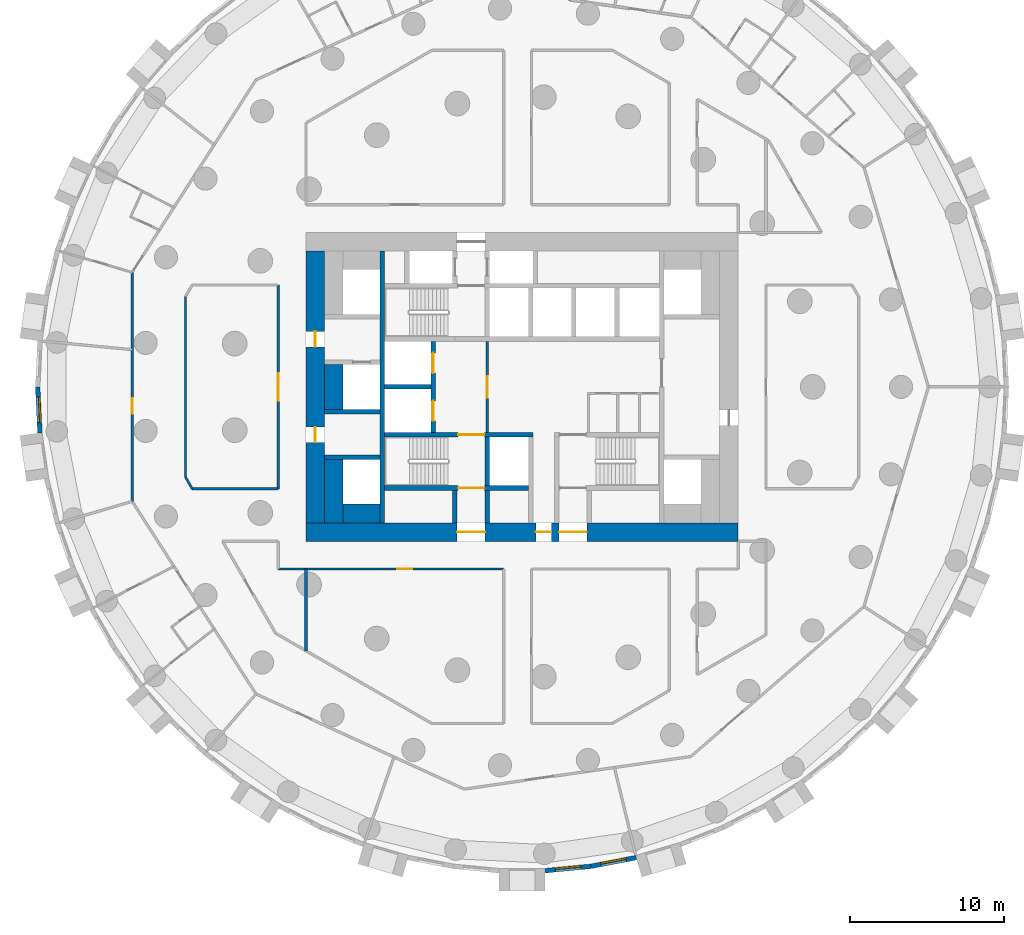
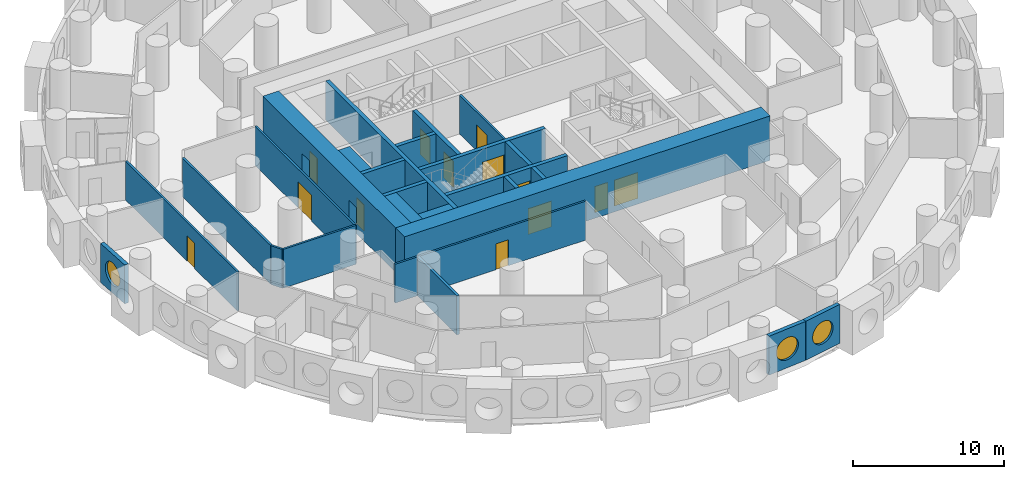
# One storey, part 4 of 12: 26 walls, 13 doors, 3 windows, 16 openings.
"""IFC4 building model written with IfcOpenShell, lengths in metres."""

from ifc_helpers import new_model, si_unit, direction, frame, frame_2d, origin, origin_2d, place, context, subcontext, project, spatial, rectangle, circle, extrude, material, layer, layer_set, type_object, element, fill, save


model = new_model("IFC4")

# Units and contexts
model_context = context("Model", 3, precision=1e-05, world=origin(), true_north=direction((0.0, 1.0)))
body_context = subcontext(model_context, "Body", "Model", "MODEL_VIEW")
ifc_project = project(units=[si_unit("LENGTHUNIT", "METRE"), si_unit("AREAUNIT", "SQUARE_METRE"), si_unit("VOLUMEUNIT", "CUBIC_METRE"), si_unit("PLANEANGLEUNIT", "RADIAN"), si_unit("MASSUNIT", "GRAM", prefix="KILO")], contexts=[model_context])

# Site, building, storey
site_placement = place(None, origin())
site = spatial("IfcSite", under=ifc_project, at=site_placement, CompositionType="ELEMENT")
building_placement = place(site_placement, origin())
building = spatial("IfcBuilding", under=site, at=building_placement, Name="Tracery Tower", CompositionType="ELEMENT")
storey_placement = place(building_placement, frame((0.0, 0.0, 57.0)))
storey = spatial("IfcBuildingStorey", under=building, at=storey_placement, Name="L13", CompositionType="ELEMENT", Elevation=57.0)

# Wall, opening, door
ifc_material_1 = material(Name="Plasterboard on steel studs", Category="steel")
ifc_layer_1 = layer(ifc_material_1, 0.14990234375)
ifc_layer_set_1 = layer_set([ifc_layer_1], Name="Core lobby partition 150")
wall_type_1 = type_object("IfcWallType", Name="Core lobby partition 150", PredefinedType="SOLIDWALL", material=ifc_layer_set_1)
wall_1_placement = place(storey_placement, frame((-2.25, -2.949951171875, 0.0), z_axis=(0.0, 0.0, 1.0), x_axis=(0.0, 1.0, 0.0)))
wall_1 = element("IfcWall", 1, at=wall_1_placement, inside=storey, type_object=wall_type_1, Name="L13 FF lobby E", PredefinedType="SOLIDWALL", context=body_context, shape_type="SweptSolid", body=[
    extrude(rectangle(XDim=5.89990234375, YDim=0.14990234375, at=frame_2d((2.949951171875, 0.0))), origin(), (0.0, 0.0, 1.0), 3.14990234375),
])
opening_1_placement = place(wall_1_placement, frame((2.25, 0.0, 0.0)))
opening_1 = element("IfcOpeningElement", 2, at=opening_1_placement, cuts=wall_1, Name="Opening KD8", PredefinedType="OPENING", context=body_context, shape_type="SweptSolid", body=[
    extrude(rectangle(XDim=1.39990234375, YDim=2.10009765625, at=frame_2d((0.699951171875, 1.050048828125))), frame((0.0, 0.074951171875, 0.0), z_axis=(0.0, -1.0, 0.0), x_axis=(1.0, 0.0, 0.0)), (0.0, 0.0, 1.0), 0.14990234375),
])
ifc_material_2 = material(Name="Steel fire door", Category="steel")
door_type_1 = type_object("IfcDoorType", Name="Core lobby door 1400 double", OperationType="NOTDEFINED", PredefinedType="DOOR", material=ifc_material_2)
door_1_placement = place(opening_1_placement, origin())
door_1 = element("IfcDoor", 3, at=door_1_placement, inside=storey, type_object=door_type_1, Name="Fire-fighting lobby door", OperationType="DOUBLE_DOOR_SINGLE_SWING", OverallHeight=2.10009765625, OverallWidth=1.39990234375, PredefinedType="DOOR", context=body_context, shape_type="SweptSolid", body=[
    extrude(rectangle(XDim=1.39990234375, YDim=2.10009765625, at=frame_2d((0.699951171875, 1.050048828125))), frame((0.0, 0.02490234375, 0.0), z_axis=(0.0, -1.0, 0.0), x_axis=(1.0, 0.0, 0.0)), (0.0, 0.0, 1.0), 0.050048828125),
])
fill(opening_1, door_1)

# Walls
ifc_material_3 = material(Name="Concrete C60/75", Category="concrete")
ifc_layer_2 = layer(ifc_material_3, 1.199951171875)
ifc_layer_set_2 = layer_set([ifc_layer_2], Name="Core strip wall 1200 C60")
wall_type_2 = type_object("IfcWallType", Name="Core strip wall 1200 C60", PredefinedType="SOLIDWALL", material=ifc_layer_set_2)
wall_2_placement = place(storey_placement, frame((-12.199951171875, -8.800048828125, 0.0), z_axis=(0.0, 0.0, 1.0), x_axis=(0.0, 1.0, 0.0)))
element("IfcWall", 4, at=wall_2_placement, inside=storey, type_object=wall_type_2, Name="L13 wing strip -1 -9.4", PredefinedType="SOLIDWALL", context=body_context, shape_type="SweptSolid", body=[
    extrude(rectangle(XDim=4.10009765625, YDim=1.199951171875, at=frame_2d((2.050048828125, 0.0))), origin(), (0.0, 0.0, 1.0), 3.14990234375),
])
wall_3_placement = place(storey_placement, frame((-12.199951171875, -1.449951171875, 0.0), z_axis=(0.0, 0.0, 1.0), x_axis=(0.0, 1.0, 0.0)))
element("IfcWall", 5, at=wall_3_placement, inside=storey, type_object=wall_type_2, Name="L13 wing strip -1 -1.6", PredefinedType="SOLIDWALL", context=body_context, shape_type="SweptSolid", body=[
    extrude(rectangle(XDim=2.89990234375, YDim=1.199951171875, at=frame_2d((1.449951171875, 0.0))), origin(), (0.0, 0.0, 1.0), 3.14990234375),
])
wall_4_placement = place(storey_placement, frame((-11.60009765625, -8.199951171875, 0.0), z_axis=(0.0, 0.0, 1.0), x_axis=(1.0, 0.0, 0.0)))
element("IfcWall", 6, at=wall_4_placement, inside=storey, type_object=wall_type_2, Name="L13 wing corner -1 -8.2", PredefinedType="SOLIDWALL", context=body_context, shape_type="SweptSolid", body=[
    extrude(rectangle(XDim=2.400146484375, YDim=1.199951171875, at=frame_2d((1.2001953125, 0.0))), origin(), (0.0, 0.0, 1.0), 3.14990234375),
])

# Wall, openings, doors
ifc_material_4 = material(Name="Concrete C60/75", Category="concrete")
ifc_layer_3 = layer(ifc_material_4, 1.199951171875)
ifc_layer_set_3 = layer_set([ifc_layer_3], Name="Core wall 1200 C60")
wall_type_3 = type_object("IfcWallType", Name="Core wall 1200 C60", PredefinedType="SOLIDWALL", material=ifc_layer_set_3)
wall_5_placement = place(storey_placement, frame((-14.0, -9.39990234375, 0.0), z_axis=(0.0, 0.0, 1.0), x_axis=(1.0, 0.0, 0.0)))
wall_5 = element("IfcWall", 7, at=wall_5_placement, inside=storey, type_object=wall_type_3, Name="L13 outer S", PredefinedType="SOLIDWALL", context=body_context, shape_type="SweptSolid", body=[
    extrude(rectangle(XDim=28.0, YDim=1.199951171875, at=frame_2d((14.0, 0.0))), origin(), (0.0, 0.0, 1.0), 3.60009765625),
])
opening_2_placement = place(wall_5_placement, frame((14.89990234375, 0.0, 0.0)))
opening_2 = element("IfcOpeningElement", 8, at=opening_2_placement, cuts=wall_5, Name="Opening KD16", PredefinedType="OPENING", context=body_context, shape_type="SweptSolid", body=[
    extrude(rectangle(XDim=1.0, YDim=2.10009765625, at=frame_2d((0.5, 1.050048828125))), frame((0.0, 0.60009765625, 0.0), z_axis=(0.0, -1.0, 0.0), x_axis=(1.0, 0.0, 0.0)), (0.0, 0.0, 1.0), 1.199951171875),
])
opening_3_placement = place(wall_5_placement, frame((9.800048828125, 0.0, 0.0)))
opening_3 = element("IfcOpeningElement", 9, at=opening_3_placement, cuts=wall_5, Name="Opening KD13", PredefinedType="OPENING", context=body_context, shape_type="SweptSolid", body=[
    extrude(rectangle(XDim=1.800048828125, YDim=2.10009765625, at=frame_2d((0.89990234375, 1.050048828125))), frame((0.0, 0.60009765625, 0.0), z_axis=(0.0, -1.0, 0.0), x_axis=(1.0, 0.0, 0.0)), (0.0, 0.0, 1.0), 1.199951171875),
])
opening_4_placement = place(wall_5_placement, frame((16.39990234375, 0.0, 0.0)))
opening_4 = element("IfcOpeningElement", 10, at=opening_4_placement, cuts=wall_5, Name="Opening KD13", PredefinedType="OPENING", context=body_context, shape_type="SweptSolid", body=[
    extrude(rectangle(XDim=1.800048828125, YDim=2.10009765625, at=frame_2d((0.89990234375, 1.050048828125))), frame((0.0, 0.60009765625, 0.0), z_axis=(0.0, -1.0, 0.0), x_axis=(1.0, 0.0, 0.0)), (0.0, 0.0, 1.0), 1.199951171875),
])
ifc_material_5 = material(Name="Steel fire door", Category="steel")
door_type_2 = type_object("IfcDoorType", Name="Core exit door 1000", OperationType="NOTDEFINED", PredefinedType="DOOR", material=ifc_material_5)
door_2_placement = place(opening_2_placement, origin())
door_2 = element("IfcDoor", 11, at=door_2_placement, inside=storey, type_object=door_type_2, Name="Core exit door", OperationType="SINGLE_SWING_LEFT", OverallHeight=2.10009765625, OverallWidth=1.0, PredefinedType="DOOR", context=body_context, shape_type="SweptSolid", body=[
    extrude(rectangle(XDim=1.0, YDim=2.10009765625, at=frame_2d((0.5, 1.050048828125))), frame((0.0, 0.02490234375, 0.0), z_axis=(0.0, -1.0, 0.0), x_axis=(1.0, 0.0, 0.0)), (0.0, 0.0, 1.0), 0.050048828125),
])
fill(opening_2, door_2)
ifc_material_6 = material(Name="Steel fire door", Category="steel")
door_type_3 = type_object("IfcDoorType", Name="Core exit door 1800 double", OperationType="NOTDEFINED", PredefinedType="DOOR", material=ifc_material_6)
door_3_placement = place(opening_3_placement, origin())
door_3 = element("IfcDoor", 12, at=door_3_placement, inside=storey, type_object=door_type_3, Name="Core exit door", OperationType="DOUBLE_DOOR_SINGLE_SWING", OverallHeight=2.10009765625, OverallWidth=1.800048828125, PredefinedType="DOOR", context=body_context, shape_type="SweptSolid", body=[
    extrude(rectangle(XDim=1.800048828125, YDim=2.10009765625, at=frame_2d((0.89990234375, 1.050048828125))), frame((0.0, 0.02490234375, 0.0), z_axis=(0.0, -1.0, 0.0), x_axis=(1.0, 0.0, 0.0)), (0.0, 0.0, 1.0), 0.050048828125),
])
fill(opening_3, door_3)
door_4_placement = place(opening_4_placement, origin())
door_4 = element("IfcDoor", 13, at=door_4_placement, inside=storey, type_object=door_type_3, Name="Core exit door", OperationType="DOUBLE_DOOR_SINGLE_SWING", OverallHeight=2.10009765625, OverallWidth=1.800048828125, PredefinedType="DOOR", context=body_context, shape_type="SweptSolid", body=[
    extrude(rectangle(XDim=1.800048828125, YDim=2.10009765625, at=frame_2d((0.89990234375, 1.050048828125))), frame((0.0, 0.02490234375, 0.0), z_axis=(0.0, -1.0, 0.0), x_axis=(1.0, 0.0, 0.0)), (0.0, 0.0, 1.0), 0.050048828125),
])
fill(opening_4, door_4)

wall_6_placement = place(storey_placement, frame((-13.39990234375, -8.800048828125, 0.0), z_axis=(0.0, 0.0, 1.0), x_axis=(0.0, 1.0, 0.0)))
wall_6 = element("IfcWall", 14, at=wall_6_placement, inside=storey, type_object=wall_type_3, Name="L13 outer W", PredefinedType="SOLIDWALL", context=body_context, shape_type="SweptSolid", body=[
    extrude(rectangle(XDim=17.60009765625, YDim=1.199951171875, at=frame_2d((8.800048828125, 0.0))), origin(), (0.0, 0.0, 1.0), 3.60009765625),
])
opening_5_placement = place(wall_6_placement, frame((5.199951171875, 0.0, 0.0)))
opening_5 = element("IfcOpeningElement", 15, at=opening_5_placement, cuts=wall_6, Name="Opening KD18", PredefinedType="OPENING", context=body_context, shape_type="SweptSolid", body=[
    extrude(rectangle(XDim=1.0, YDim=2.10009765625, at=frame_2d((0.5, 1.050048828125))), frame((0.0, 0.60009765625, 0.0), z_axis=(0.0, -1.0, 0.0), x_axis=(1.0, 0.0, 0.0)), (0.0, 0.0, 1.0), 1.199951171875),
])
opening_6_placement = place(wall_6_placement, frame((11.39990234375, 0.0, 0.0)))
opening_6 = element("IfcOpeningElement", 16, at=opening_6_placement, cuts=wall_6, Name="Opening KD18", PredefinedType="OPENING", context=body_context, shape_type="SweptSolid", body=[
    extrude(rectangle(XDim=1.0, YDim=2.10009765625, at=frame_2d((0.5, 1.050048828125))), frame((0.0, 0.60009765625, 0.0), z_axis=(0.0, -1.0, 0.0), x_axis=(1.0, 0.0, 0.0)), (0.0, 0.0, 1.0), 1.199951171875),
])
door_5_placement = place(opening_5_placement, origin())
door_5 = element("IfcDoor", 17, at=door_5_placement, inside=storey, type_object=door_type_2, Name="Core exit door", OperationType="DOUBLE_DOOR_SINGLE_SWING", OverallHeight=2.10009765625, OverallWidth=1.0, PredefinedType="DOOR", context=body_context, shape_type="SweptSolid", body=[
    extrude(rectangle(XDim=1.0, YDim=2.10009765625, at=frame_2d((0.5, 1.050048828125))), frame((0.0, 0.02490234375, 0.0), z_axis=(0.0, -1.0, 0.0), x_axis=(1.0, 0.0, 0.0)), (0.0, 0.0, 1.0), 0.050048828125),
])
fill(opening_5, door_5)
door_6_placement = place(opening_6_placement, origin())
door_6 = element("IfcDoor", 18, at=door_6_placement, inside=storey, type_object=door_type_2, Name="Core exit door", OperationType="DOUBLE_DOOR_SINGLE_SWING", OverallHeight=2.10009765625, OverallWidth=1.0, PredefinedType="DOOR", context=body_context, shape_type="SweptSolid", body=[
    extrude(rectangle(XDim=1.0, YDim=2.10009765625, at=frame_2d((0.5, 1.050048828125))), frame((0.0, 0.02490234375, 0.0), z_axis=(0.0, -1.0, 0.0), x_axis=(1.0, 0.0, 0.0)), (0.0, 0.0, 1.0), 0.050048828125),
])
fill(opening_6, door_6)

# Wall, opening, window
ifc_material_7 = material(Name="Precast concrete C50/60", Category="concrete")
ifc_layer_4 = layer(ifc_material_7, 0.300048828125)
ifc_layer_set_4 = layer_set([ifc_layer_4], Name="Facade panel 3000 x 3150")
wall_type_4 = type_object("IfcWallType", Name="Facade panel 3000 x 3150", PredefinedType="SOLIDWALL", material=ifc_layer_set_4)
wall_7_placement = place(storey_placement, frame((-31.37451171875, 0.0, 0.0), z_axis=(0.0, 0.0, 1.0), x_axis=(0.047604077644, -0.998866283239, 0.0)))
wall_7 = element("IfcWall", 19, at=wall_7_placement, inside=storey, type_object=wall_type_4, Name="Facade panel 34 at L13", PredefinedType="SOLIDWALL", context=body_context, shape_type="SweptSolid", body=[
    extrude(rectangle(XDim=2.979736328125, YDim=0.300048828125, at=frame_2d((1.48974609375, 0.0))), origin(), (0.0, 0.0, 1.0), 3.14990234375),
])
opening_7_placement = place(wall_7_placement, frame((1.48974609375, 0.0, 1.5498046875)))
opening_7 = element("IfcOpeningElement", 20, at=opening_7_placement, cuts=wall_7, Name="Opening WN1", PredefinedType="OPENING", context=body_context, shape_type="SweptSolid", body=[
    extrude(circle(Radius=0.9000244140625, at=origin_2d()), frame((0.0, 0.159912109375, 0.0), z_axis=(0.0, -1.0, 0.0), x_axis=(1.0, 0.0, 0.0)), (0.0, 0.0, 1.0), 0.320068359375),
])
ifc_material_8 = material(Name="Aluminium frame with tinted double glazing", Category="aluminium")
window_type = type_object("IfcWindowType", Name="Round window 1800", PartitioningType="SINGLE_PANEL", PredefinedType="WINDOW", material=ifc_material_8)
window_1_placement = place(opening_7_placement, origin())
window_1 = element("IfcWindow", 21, at=window_1_placement, inside=storey, type_object=window_type, Name="Round window 34 at L13", OverallHeight=1.800048828125, OverallWidth=1.800048828125, PartitioningType="SINGLE_PANEL", PredefinedType="WINDOW", context=body_context, shape_type="SweptSolid", body=[
    extrude(circle(Radius=0.9000244140625, at=origin_2d()), frame((0.0, 0.1201171875, 0.0), z_axis=(0.0, -1.0, 0.0), x_axis=(1.0, 0.0, 0.0)), (0.0, 0.0, 1.0), 0.10009765625),
])
fill(opening_7, window_1)

wall_8_placement = place(storey_placement, frame((1.498779296875, -31.33837890625, 0.0), z_axis=(0.0, 0.0, 1.0), x_axis=(0.995473351551, 0.095041077185, 0.0)))
wall_8 = element("IfcWall", 22, at=wall_8_placement, inside=storey, type_object=wall_type_4, Name="Facade panel 51 at L13", PredefinedType="SOLIDWALL", context=body_context, shape_type="SweptSolid", body=[
    extrude(rectangle(XDim=2.979736328125, YDim=0.300048828125, at=frame_2d((1.48974609375, 0.0))), origin(), (0.0, 0.0, 1.0), 3.14990234375),
])
opening_8_placement = place(wall_8_placement, frame((1.48974609375, 0.0, 1.5498046875)))
opening_8 = element("IfcOpeningElement", 23, at=opening_8_placement, cuts=wall_8, Name="Opening WN1", PredefinedType="OPENING", context=body_context, shape_type="SweptSolid", body=[
    extrude(circle(Radius=0.9000244140625, at=origin_2d()), frame((0.0, 0.159912109375, 0.0), z_axis=(0.0, -1.0, 0.0), x_axis=(1.0, 0.0, 0.0)), (0.0, 0.0, 1.0), 0.320068359375),
])
window_2_placement = place(opening_8_placement, origin())
window_2 = element("IfcWindow", 24, at=window_2_placement, inside=storey, type_object=window_type, Name="Round window 51 at L13", OverallHeight=1.800048828125, OverallWidth=1.800048828125, PartitioningType="SINGLE_PANEL", PredefinedType="WINDOW", context=body_context, shape_type="SweptSolid", body=[
    extrude(circle(Radius=0.9000244140625, at=origin_2d()), frame((0.0, 0.1201171875, 0.0), z_axis=(0.0, -1.0, 0.0), x_axis=(1.0, 0.0, 0.0)), (0.0, 0.0, 1.0), 0.10009765625),
])
fill(opening_8, window_2)

wall_9_placement = place(storey_placement, frame((4.465087890625, -31.05517578125, 0.0), z_axis=(0.0, 0.0, 1.0), x_axis=(0.981924535406, 0.189272836848, 0.0)))
wall_9 = element("IfcWall", 25, at=wall_9_placement, inside=storey, type_object=wall_type_4, Name="Facade panel 52 at L13", PredefinedType="SOLIDWALL", context=body_context, shape_type="SweptSolid", body=[
    extrude(rectangle(XDim=2.979736328125, YDim=0.300048828125, at=frame_2d((1.48974609375, 0.0))), origin(), (0.0, 0.0, 1.0), 3.14990234375),
])
opening_9_placement = place(wall_9_placement, frame((1.48974609375, 0.0, 1.5498046875)))
opening_9 = element("IfcOpeningElement", 26, at=opening_9_placement, cuts=wall_9, Name="Opening WN1", PredefinedType="OPENING", context=body_context, shape_type="SweptSolid", body=[
    extrude(circle(Radius=0.9000244140625, at=origin_2d()), frame((0.0, 0.159912109375, 0.0), z_axis=(0.0, -1.0, 0.0), x_axis=(1.0, 0.0, 0.0)), (0.0, 0.0, 1.0), 0.320068359375),
])
window_3_placement = place(opening_9_placement, origin())
window_3 = element("IfcWindow", 27, at=window_3_placement, inside=storey, type_object=window_type, Name="Round window 52 at L13", OverallHeight=1.800048828125, OverallWidth=1.800048828125, PartitioningType="SINGLE_PANEL", PredefinedType="WINDOW", context=body_context, shape_type="SweptSolid", body=[
    extrude(circle(Radius=0.9000244140625, at=origin_2d()), frame((0.0, 0.1201171875, 0.0), z_axis=(0.0, -1.0, 0.0), x_axis=(1.0, 0.0, 0.0)), (0.0, 0.0, 1.0), 0.10009765625),
])
fill(opening_9, window_3)

# Wall, opening, door
ifc_material_9 = material(Name="Plasterboard on steel studs", Category="steel")
ifc_layer_5 = layer(ifc_material_9, 0.14990234375)
ifc_layer_set_5 = layer_set([ifc_layer_5], Name="Partition 150 corridor wall")
wall_type_5 = type_object("IfcWallType", Name="Partition 150 corridor wall", PredefinedType="PARTITIONING", material=ifc_layer_set_5)
wall_10_placement = place(storey_placement, frame((-15.800048828125, -11.800048828125, 0.0), z_axis=(0.0, 0.0, 1.0), x_axis=(1.0, 0.0, 0.0)))
wall_10 = element("IfcWall", 28, at=wall_10_placement, inside=storey, type_object=wall_type_5, Name="Corridor wall RA3-005", PredefinedType="PARTITIONING", context=body_context, shape_type="SweptSolid", body=[
    extrude(rectangle(XDim=14.612060546875, YDim=0.14990234375, at=frame_2d((7.30615234375, 0.0))), origin(), (0.0, 0.0, 1.0), 3.14990234375),
])
opening_10_placement = place(wall_10_placement, frame((7.72900390625, 0.0, 0.0)))
opening_10 = element("IfcOpeningElement", 29, at=opening_10_placement, cuts=wall_10, Name="Opening RA3-04", PredefinedType="OPENING", context=body_context, shape_type="SweptSolid", body=[
    extrude(rectangle(XDim=0.949951171875, YDim=2.10009765625, at=frame_2d((0.47509765625, 1.050048828125))), frame((0.0, 0.074951171875, 0.0), z_axis=(0.0, -1.0, 0.0), x_axis=(1.0, 0.0, 0.0)), (0.0, 0.0, 1.0), 0.14990234375),
])
ifc_material_10 = material(Name="Timber door leaf", Category="wood")
door_type_4 = type_object("IfcDoorType", Name="Door store 950", OperationType="NOTDEFINED", PredefinedType="DOOR", material=ifc_material_10)
door_7_placement = place(opening_10_placement, origin())
door_7 = element("IfcDoor", 30, at=door_7_placement, inside=storey, type_object=door_type_4, Name="Store door RA3-04", OperationType="SINGLE_SWING_RIGHT", OverallHeight=2.10009765625, OverallWidth=0.949951171875, PredefinedType="DOOR", context=body_context, shape_type="SweptSolid", body=[
    extrude(rectangle(XDim=0.949951171875, YDim=2.10009765625, at=frame_2d((0.47509765625, 1.050048828125))), frame((0.0, 0.02490234375, 0.0), z_axis=(0.0, -1.0, 0.0), x_axis=(1.0, 0.0, 0.0)), (0.0, 0.0, 1.0), 0.050048828125),
])
fill(opening_10, door_7)

wall_11_placement = place(storey_placement, frame((-15.800048828125, -6.60400390625, 0.0), z_axis=(0.0, 0.0, 1.0), x_axis=(0.0, 1.0, 0.0)))
wall_11 = element("IfcWall", 31, at=wall_11_placement, inside=storey, type_object=wall_type_5, Name="Corridor wall RA3-013", PredefinedType="PARTITIONING", context=body_context, shape_type="SweptSolid", body=[
    extrude(rectangle(XDim=13.2080078125, YDim=0.14990234375, at=frame_2d((6.60400390625, 0.0))), origin(), (0.0, 0.0, 1.0), 3.14990234375),
])
opening_11_placement = place(wall_11_placement, frame((5.7041015625, 0.0, 0.0)))
opening_11 = element("IfcOpeningElement", 32, at=opening_11_placement, cuts=wall_11, Name="Opening RA3-08", PredefinedType="OPENING", context=body_context, shape_type="SweptSolid", body=[
    extrude(rectangle(XDim=1.800048828125, YDim=2.10009765625, at=frame_2d((0.89990234375, 1.050048828125))), frame((0.0, 0.074951171875, 0.0), z_axis=(0.0, -1.0, 0.0), x_axis=(1.0, 0.0, 0.0)), (0.0, 0.0, 1.0), 0.14990234375),
])
ifc_material_11 = material(Name="Timber door leaf", Category="wood")
door_type_5 = type_object("IfcDoorType", Name="Door double lounge 1800", OperationType="NOTDEFINED", PredefinedType="DOOR", material=ifc_material_11)
door_8_placement = place(opening_11_placement, origin())
door_8 = element("IfcDoor", 33, at=door_8_placement, inside=storey, type_object=door_type_5, Name="Double lounge door RA3-08", OperationType="DOUBLE_DOOR_SINGLE_SWING", OverallHeight=2.10009765625, OverallWidth=1.800048828125, PredefinedType="DOOR", context=body_context, shape_type="SweptSolid", body=[
    extrude(rectangle(XDim=1.800048828125, YDim=2.10009765625, at=frame_2d((0.89990234375, 1.050048828125))), frame((0.0, 0.02490234375, 0.0), z_axis=(0.0, -1.0, 0.0), x_axis=(1.0, 0.0, 0.0)), (0.0, 0.0, 1.0), 0.050048828125),
])
fill(opening_11, door_8)

# Walls
wall_12_placement = place(storey_placement, frame((-21.802001953125, -5.842041015625, 0.0), z_axis=(0.0, 0.0, 1.0), x_axis=(0.0, 1.0, 0.0)))
element("IfcWall", 34, at=wall_12_placement, inside=storey, type_object=wall_type_5, Name="Corridor wall RA3-040", PredefinedType="PARTITIONING", context=body_context, shape_type="SweptSolid", body=[
    extrude(rectangle(XDim=11.68408203125, YDim=0.14990234375, at=frame_2d((5.842041015625, 0.0))), origin(), (0.0, 0.0, 1.0), 3.14990234375),
])
wall_13_placement = place(storey_placement, frame((-21.802001953125, -5.842041015625, 0.0), z_axis=(0.0, 0.0, 1.0), x_axis=(0.500277597875, -0.865865073245, 0.0)))
element("IfcWall", 35, at=wall_13_placement, inside=storey, type_object=wall_type_5, Name="Corridor wall RA3-041", PredefinedType="PARTITIONING", context=body_context, shape_type="SweptSolid", body=[
    extrude(rectangle(XDim=0.87548828125, YDim=0.14990234375, at=frame_2d((0.437744140625, 0.0))), origin(), (0.0, 0.0, 1.0), 3.14990234375),
])
wall_14_placement = place(storey_placement, frame((-21.364013671875, -6.60009765625, 0.0), z_axis=(0.0, 0.0, 1.0), x_axis=(1.0, 0.0, 0.0)))
element("IfcWall", 36, at=wall_14_placement, inside=storey, type_object=wall_type_5, Name="Corridor wall RA3-042", PredefinedType="PARTITIONING", context=body_context, shape_type="SweptSolid", body=[
    extrude(rectangle(XDim=5.56396484375, YDim=0.14990234375, at=frame_2d((2.781982421875, 0.0))), origin(), (0.0, 0.0, 1.0), 3.14990234375),
])

# Wall, opening, door
wall_15_placement = place(storey_placement, frame((-25.2529296875, -7.4150390625, 0.0), z_axis=(0.0, 0.0, 1.0), x_axis=(0.0, 1.0, 0.0)))
wall_15 = element("IfcWall", 37, at=wall_15_placement, inside=storey, type_object=wall_type_5, Name="Corridor wall RA3-045", PredefinedType="PARTITIONING", context=body_context, shape_type="SweptSolid", body=[
    extrude(rectangle(XDim=14.830078125, YDim=0.14990234375, at=frame_2d((7.4150390625, 0.0))), origin(), (0.0, 0.0, 1.0), 3.14990234375),
])
opening_12_placement = place(wall_15_placement, frame((5.6650390625, 0.0, 0.0)))
opening_12 = element("IfcOpeningElement", 38, at=opening_12_placement, cuts=wall_15, Name="Opening RA3-33", PredefinedType="OPENING", context=body_context, shape_type="SweptSolid", body=[
    extrude(rectangle(XDim=1.0, YDim=2.0400390625, at=frame_2d((0.5, 1.02001953125))), frame((0.0, 0.074951171875, 0.0), z_axis=(0.0, -1.0, 0.0), x_axis=(1.0, 0.0, 0.0)), (0.0, 0.0, 1.0), 0.14990234375),
])
ifc_material_12 = material(Name="Timber door leaf", Category="wood")
door_type_6 = type_object("IfcDoorType", Name="Door communal room 1000", OperationType="NOTDEFINED", PredefinedType="DOOR", material=ifc_material_12)
door_9_placement = place(opening_12_placement, origin())
door_9 = element("IfcDoor", 39, at=door_9_placement, inside=storey, type_object=door_type_6, Name="Communal room door RA3-33", OperationType="SINGLE_SWING_RIGHT", OverallHeight=2.0400390625, OverallWidth=1.0, PredefinedType="DOOR", context=body_context, shape_type="SweptSolid", body=[
    extrude(rectangle(XDim=1.0, YDim=2.0400390625, at=frame_2d((0.5, 1.02001953125))), frame((0.0, 0.02490234375, 0.0), z_axis=(0.0, -1.0, 0.0), x_axis=(1.0, 0.0, 0.0)), (0.0, 0.0, 1.0), 0.050048828125),
])
fill(opening_12, door_9)

# Walls
ifc_material_13 = material(Name="Plasterboard on steel studs", Category="steel")
ifc_layer_6 = layer(ifc_material_13, 0.199951171875)
ifc_layer_set_6 = layer_set([ifc_layer_6], Name="Partition 200 compartment wall")
wall_type_6 = type_object("IfcWallType", Name="Partition 200 compartment wall", PredefinedType="PARTITIONING", material=ifc_layer_set_6)
wall_16_placement = place(storey_placement, frame((-14.0, -17.092041015625, 0.0), z_axis=(0.0, 0.0, 1.0), x_axis=(0.0, 1.0, 0.0)))
element("IfcWall", 40, at=wall_16_placement, inside=storey, type_object=wall_type_6, Name="Compartment wall RA3-059", PredefinedType="PARTITIONING", context=body_context, shape_type="SweptSolid", body=[
    extrude(rectangle(XDim=5.2919921875, YDim=0.199951171875, at=frame_2d((2.64599609375, 0.0))), origin(), (0.0, 0.0, 1.0), 3.14990234375),
])
ifc_material_14 = material(Name="Concrete C60/75", Category="concrete")
ifc_layer_7 = layer(ifc_material_14, 0.300048828125)
ifc_layer_set_7 = layer_set([ifc_layer_7], Name="Shaft wall 300 C60")
wall_type_7 = type_object("IfcWallType", Name="Shaft wall 300 C60", PredefinedType="SOLIDWALL", material=ifc_layer_set_7)
wall_17_placement = place(storey_placement, frame((-8.89990234375, 0.0, 0.0), z_axis=(0.0, 0.0, 1.0), x_axis=(1.0, 0.0, 0.0)))
element("IfcWall", 41, at=wall_17_placement, inside=storey, type_object=wall_type_7, Name="L13 FF split", PredefinedType="SOLIDWALL", context=body_context, shape_type="SweptSolid", body=[
    extrude(rectangle(XDim=3.0, YDim=0.300048828125, at=frame_2d((1.5, 0.0))), origin(), (0.0, 0.0, 1.0), 3.14990234375),
])

# Wall, openings, doors
wall_18_placement = place(storey_placement, frame((-5.75, -2.949951171875, 0.0), z_axis=(0.0, 0.0, 1.0), x_axis=(0.0, 1.0, 0.0)))
wall_18 = element("IfcWall", 42, at=wall_18_placement, inside=storey, type_object=wall_type_7, Name="L13 FF doors", PredefinedType="SOLIDWALL", context=body_context, shape_type="SweptSolid", body=[
    extrude(rectangle(XDim=5.89990234375, YDim=0.300048828125, at=frame_2d((2.949951171875, 0.0))), origin(), (0.0, 0.0, 1.0), 3.14990234375),
])
opening_13_placement = place(wall_18_placement, frame((0.75, 0.0, 0.0)))
opening_13 = element("IfcOpeningElement", 43, at=opening_13_placement, cuts=wall_18, Name="Opening KD54", PredefinedType="OPENING", context=body_context, shape_type="SweptSolid", body=[
    extrude(rectangle(XDim=1.300048828125, YDim=2.10009765625, at=frame_2d((0.64990234375, 1.050048828125))), frame((0.0, 0.14990234375, 0.0), z_axis=(0.0, -1.0, 0.0), x_axis=(1.0, 0.0, 0.0)), (0.0, 0.0, 1.0), 0.300048828125),
])
opening_14_placement = place(wall_18_placement, frame((3.85009765625, 0.0, 0.0)))
opening_14 = element("IfcOpeningElement", 44, at=opening_14_placement, cuts=wall_18, Name="Opening KD55", PredefinedType="OPENING", context=body_context, shape_type="SweptSolid", body=[
    extrude(rectangle(XDim=1.300048828125, YDim=2.10009765625, at=frame_2d((0.64990234375, 1.050048828125))), frame((0.0, 0.14990234375, 0.0), z_axis=(0.0, -1.0, 0.0), x_axis=(1.0, 0.0, 0.0)), (0.0, 0.0, 1.0), 0.300048828125),
])
ifc_material_15 = material(Name="Steel fire door", Category="steel")
door_type_7 = type_object("IfcDoorType", Name="Landing door FF 1300", OperationType="NOTDEFINED", PredefinedType="DOOR", material=ifc_material_15)
door_10_placement = place(opening_13_placement, origin())
door_10 = element("IfcDoor", 45, at=door_10_placement, inside=storey, type_object=door_type_7, Name="Landing door FF1", OperationType="SLIDING_TO_LEFT", OverallHeight=2.10009765625, OverallWidth=1.300048828125, PredefinedType="DOOR", context=body_context, shape_type="SweptSolid", body=[
    extrude(rectangle(XDim=1.300048828125, YDim=2.10009765625, at=frame_2d((0.64990234375, 1.050048828125))), frame((0.0, 0.02490234375, 0.0), z_axis=(0.0, -1.0, 0.0), x_axis=(1.0, 0.0, 0.0)), (0.0, 0.0, 1.0), 0.050048828125),
])
fill(opening_13, door_10)
door_11_placement = place(opening_14_placement, origin())
door_11 = element("IfcDoor", 46, at=door_11_placement, inside=storey, type_object=door_type_7, Name="Landing door FF2", OperationType="SLIDING_TO_RIGHT", OverallHeight=2.10009765625, OverallWidth=1.300048828125, PredefinedType="DOOR", context=body_context, shape_type="SweptSolid", body=[
    extrude(rectangle(XDim=1.300048828125, YDim=2.10009765625, at=frame_2d((0.64990234375, 1.050048828125))), frame((0.0, 0.02490234375, 0.0), z_axis=(0.0, -1.0, 0.0), x_axis=(1.0, 0.0, 0.0)), (0.0, 0.0, 1.0), 0.050048828125),
])
fill(opening_14, door_11)

# Walls
wall_19_placement = place(storey_placement, frame((-4.35009765625, -8.800048828125, 0.0), z_axis=(0.0, 0.0, 1.0), x_axis=(0.0, 1.0, 0.0)))
element("IfcWall", 47, at=wall_19_placement, inside=storey, type_object=wall_type_7, Name="L13 band S -4.35", PredefinedType="SOLIDWALL", context=body_context, shape_type="SweptSolid", body=[
    extrude(rectangle(XDim=2.10009765625, YDim=0.300048828125, at=frame_2d((1.050048828125, 0.0))), origin(), (0.0, 0.0, 1.0), 3.14990234375),
])
for number, where, z_axis, x_axis, name in (
    (48, (-12.800048828125, -4.550048828125, 0.0), (0.0, 0.0, 1.0), (1.0, 0.0, 0.0), "L13 wing shaft wall -1 -4.55"),
    (49, (-12.800048828125, -1.60009765625, 0.0), (0.0, 0.0, 1.0), (1.0, 0.0, 0.0), "L13 wing shaft wall -1 -1.60"),
):
    element("IfcWall", number, at=place(storey_placement, frame(where, z_axis=z_axis, x_axis=x_axis)), inside=storey, type_object=wall_type_7, Name=name, PredefinedType="SOLIDWALL", context=body_context, shape_type="SweptSolid", body=[
        extrude(rectangle(XDim=3.60009765625, YDim=0.300048828125, at=frame_2d((1.800048828125, 0.0))), origin(), (0.0, 0.0, 1.0), 3.14990234375),
    ])

# Wall, opening, door
ifc_material_16 = material(Name="Concrete C60/75", Category="concrete")
ifc_layer_8 = layer(ifc_material_16, 0.300048828125)
ifc_layer_set_8 = layer_set([ifc_layer_8], Name="Stair wall 300 C60")
wall_type_8 = type_object("IfcWallType", Name="Stair wall 300 C60", PredefinedType="SOLIDWALL", material=ifc_layer_set_8)
wall_20_placement = place(storey_placement, frame((-8.89990234375, -3.10009765625, 0.0), z_axis=(0.0, 0.0, 1.0), x_axis=(1.0, 0.0, 0.0)))
wall_20 = element("IfcWall", 50, at=wall_20_placement, inside=storey, type_object=wall_type_8, Name="L13 row S", PredefinedType="SOLIDWALL", context=body_context, shape_type="SweptSolid", body=[
    extrude(rectangle(XDim=9.599853515625, YDim=0.300048828125, at=frame_2d((4.7998046875, 0.0))), origin(), (0.0, 0.0, 1.0), 3.14990234375),
])
opening_15_placement = place(wall_20_placement, frame((4.75, 0.0, 0.0)))
opening_15 = element("IfcOpeningElement", 51, at=opening_15_placement, cuts=wall_20, Name="Opening KD3", PredefinedType="OPENING", context=body_context, shape_type="SweptSolid", body=[
    extrude(rectangle(XDim=1.699951171875, YDim=2.10009765625, at=frame_2d((0.85009765625, 1.050048828125))), frame((0.0, 0.14990234375, 0.0), z_axis=(0.0, -1.0, 0.0), x_axis=(1.0, 0.0, 0.0)), (0.0, 0.0, 1.0), 0.300048828125),
])
ifc_material_17 = material(Name="Steel fire door", Category="steel")
door_type_8 = type_object("IfcDoorType", Name="Core stair door 1700 double", OperationType="NOTDEFINED", PredefinedType="DOOR", material=ifc_material_17)
door_12_placement = place(opening_15_placement, origin())
door_12 = element("IfcDoor", 52, at=door_12_placement, inside=storey, type_object=door_type_8, Name="Stair door ST1", OperationType="DOUBLE_DOOR_SINGLE_SWING", OverallHeight=2.10009765625, OverallWidth=1.699951171875, PredefinedType="DOOR", context=body_context, shape_type="SweptSolid", body=[
    extrude(rectangle(XDim=1.699951171875, YDim=2.10009765625, at=frame_2d((0.85009765625, 1.050048828125))), frame((0.0, 0.02490234375, 0.0), z_axis=(0.0, -1.0, 0.0), x_axis=(1.0, 0.0, 0.0)), (0.0, 0.0, 1.0), 0.050048828125),
])
fill(opening_15, door_12)

# Walls
wall_21_placement = place(storey_placement, frame((-2.25, -6.39990234375, 0.0), z_axis=(0.0, 0.0, 1.0), x_axis=(0.0, 1.0, 0.0)))
element("IfcWall", 53, at=wall_21_placement, inside=storey, type_object=wall_type_8, Name="L13 ST1 E", PredefinedType="SOLIDWALL", context=body_context, shape_type="SweptSolid", body=[
    extrude(rectangle(XDim=3.14990234375, YDim=0.300048828125, at=frame_2d((1.574951171875, 0.0))), origin(), (0.0, 0.0, 1.0), 3.14990234375),
])
wall_22_placement = place(storey_placement, frame((-9.050048828125, -8.800048828125, 0.0), z_axis=(0.0, 0.0, 1.0), x_axis=(0.0, 1.0, 0.0)))
element("IfcWall", 54, at=wall_22_placement, inside=storey, type_object=wall_type_8, Name="L13 F wall -9", PredefinedType="SOLIDWALL", context=body_context, shape_type="SweptSolid", body=[
    extrude(rectangle(XDim=17.60009765625, YDim=0.300048828125, at=frame_2d((8.800048828125, 0.0))), origin(), (0.0, 0.0, 1.0), 3.14990234375),
])

# Wall, opening, door
wall_23_placement = place(storey_placement, frame((-8.89990234375, -6.550048828125, 0.0), z_axis=(0.0, 0.0, 1.0), x_axis=(1.0, 0.0, 0.0)))
wall_23 = element("IfcWall", 55, at=wall_23_placement, inside=storey, type_object=wall_type_8, Name="L13 F S W", PredefinedType="SOLIDWALL", context=body_context, shape_type="SweptSolid", body=[
    extrude(rectangle(XDim=9.2998046875, YDim=0.300048828125, at=frame_2d((4.64990234375, 0.0))), origin(), (0.0, 0.0, 1.0), 3.14990234375),
])
opening_16_placement = place(wall_23_placement, frame((4.75, 0.0, 0.0)))
opening_16 = element("IfcOpeningElement", 56, at=opening_16_placement, cuts=wall_23, Name="Opening KD3", PredefinedType="OPENING", context=body_context, shape_type="SweptSolid", body=[
    extrude(rectangle(XDim=1.699951171875, YDim=2.10009765625, at=frame_2d((0.85009765625, 1.050048828125))), frame((0.0, 0.14990234375, 0.0), z_axis=(0.0, -1.0, 0.0), x_axis=(1.0, 0.0, 0.0)), (0.0, 0.0, 1.0), 0.300048828125),
])
door_13_placement = place(opening_16_placement, origin())
door_13 = element("IfcDoor", 57, at=door_13_placement, inside=storey, type_object=door_type_8, Name="Stair door ST1 S", OperationType="DOUBLE_DOOR_SINGLE_SWING", OverallHeight=2.10009765625, OverallWidth=1.699951171875, PredefinedType="DOOR", context=body_context, shape_type="SweptSolid", body=[
    extrude(rectangle(XDim=1.699951171875, YDim=2.10009765625, at=frame_2d((0.85009765625, 1.050048828125))), frame((0.0, 0.02490234375, 0.0), z_axis=(0.0, -1.0, 0.0), x_axis=(1.0, 0.0, 0.0)), (0.0, 0.0, 1.0), 0.050048828125),
])
fill(opening_16, door_13)

# Wall
wall_24_placement = place(storey_placement, frame((-2.25, -8.800048828125, 0.0), z_axis=(0.0, 0.0, 1.0), x_axis=(0.0, 1.0, 0.0)))
element("IfcWall", 58, at=wall_24_placement, inside=storey, type_object=wall_type_8, Name="L13 ST1 E out", PredefinedType="SOLIDWALL", context=body_context, shape_type="SweptSolid", body=[
    extrude(rectangle(XDim=2.10009765625, YDim=0.300048828125, at=frame_2d((1.050048828125, 0.0))), origin(), (0.0, 0.0, 1.0), 3.14990234375),
])

save(model, "model.ifc")
